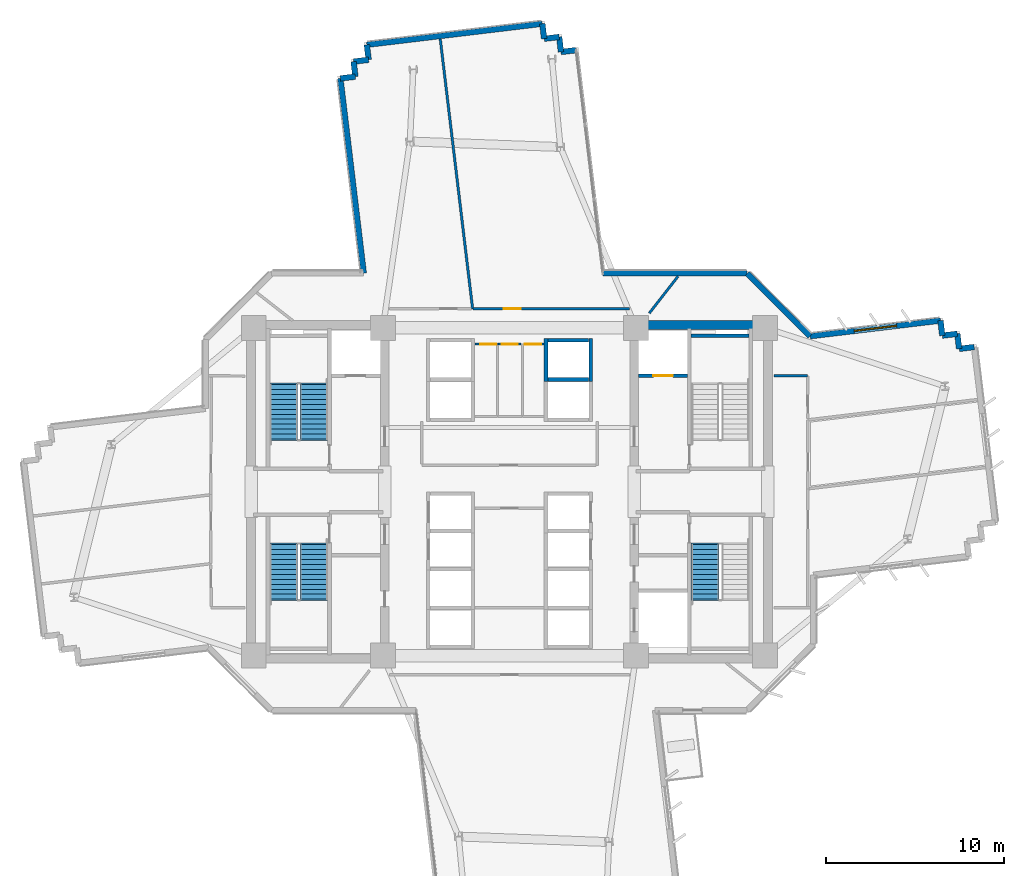
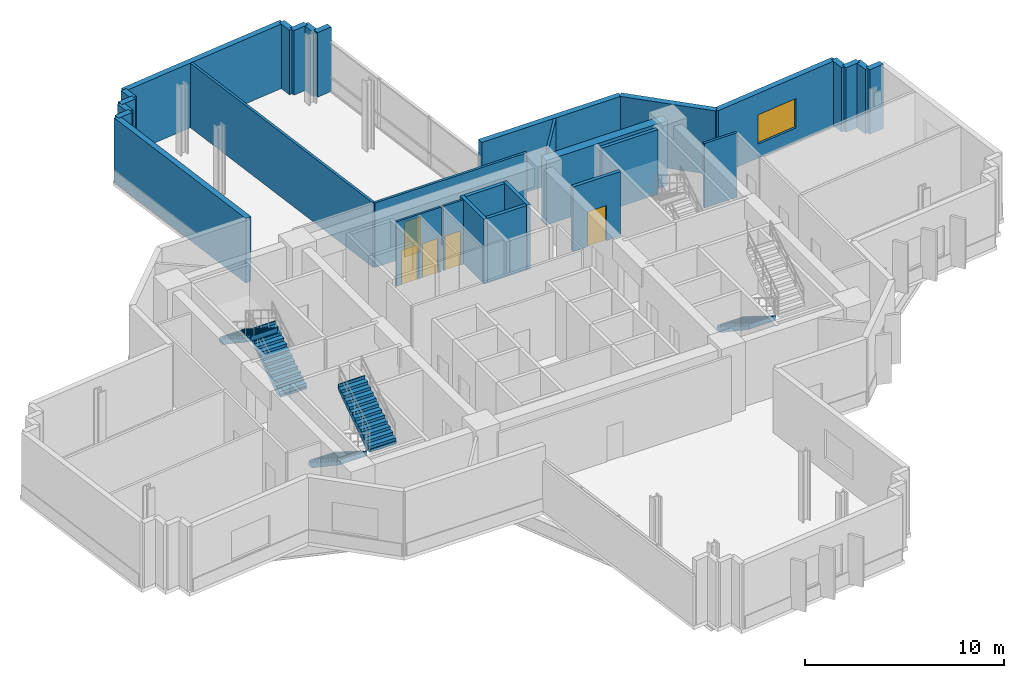
# One storey, part 9 of 15: 31 walls, 5 doors, 5 stair flights, 1 window, 6 openings, 3 elements without a shape of their own.
"""IFC4 building model written with IfcOpenShell, lengths in metres."""

from ifc_helpers import new_model, si_unit, direction, frame, frame_2d, origin, place, context, subcontext, project, spatial, polyline, rectangle, outline, extrude, source, transform, mapped, material, layer, layer_set, type_object, element, fill, aggregate, save


model = new_model("IFC4")

# Units and contexts
model_context = context("Model", 3, precision=1e-05, world=origin(), true_north=direction((0.0, 1.0)))
body_context = subcontext(model_context, "Body", "Model", "MODEL_VIEW")
ifc_project = project(units=[si_unit("LENGTHUNIT", "METRE"), si_unit("AREAUNIT", "SQUARE_METRE"), si_unit("VOLUMEUNIT", "CUBIC_METRE"), si_unit("PLANEANGLEUNIT", "RADIAN"), si_unit("MASSUNIT", "GRAM", prefix="KILO")], contexts=[model_context])

# Site, building, storey
site_placement = place(None, origin())
site = spatial("IfcSite", under=ifc_project, at=site_placement, CompositionType="ELEMENT")
building_placement = place(site_placement, origin())
building = spatial("IfcBuilding", under=site, at=building_placement, Name="Zahravan Cultural Tower", CompositionType="ELEMENT")
storey_placement = place(building_placement, frame((0.0, 0.0, 104.699951171875)))
storey = spatial("IfcBuildingStorey", under=building, at=storey_placement, Name="L23", CompositionType="ELEMENT", Elevation=104.699951171875)

# Wall, opening, window
ifc_material_1 = material(Name="Precast concrete C40/50", Category="concrete")
ifc_layer_1 = layer(ifc_material_1, 0.320068359375)
ifc_layer_set_1 = layer_set([ifc_layer_1], Name="Precast concrete C40/50")
wall_type_1 = type_object("IfcWallType", Name="EW-TC-320", PredefinedType="SOLIDWALL", material=ifc_layer_set_1)
wall_1_placement = place(storey_placement, frame((52.87060546875, 35.7314453125, 0.0), z_axis=(0.0, 0.0, 1.0), x_axis=(0.992882794037, 0.119095580547, 0.0)))
wall_1 = element("IfcWall", 1, at=wall_1_placement, inside=storey, type_object=wall_type_1, Name="L23 Exterior Masonry Frame Wall 01", PredefinedType="SOLIDWALL", context=body_context, shape_type="SweptSolid", body=[
    extrude(rectangle(XDim=7.36962890625, YDim=0.320068359375, at=frame_2d((3.684814453125, 0.0))), origin(), (0.0, 0.0, 1.0), 3.949951171875),
])
opening_1_placement = place(wall_1_placement, frame((2.485107421875, 0.0, 0.85009765625)))
opening_1 = element("IfcOpeningElement", 2, at=opening_1_placement, cuts=wall_1, Name="Opening WN-01", PredefinedType="OPENING", context=body_context, shape_type="SweptSolid", body=[
    extrude(rectangle(XDim=2.39990234375, YDim=1.800048828125, at=frame_2d((1.199951171875, 0.89990234375))), frame((0.0, 0.169921875, 0.0), z_axis=(0.0, -1.0, 0.0), x_axis=(1.0, 0.0, 0.0)), (0.0, 0.0, 1.0), 0.340087890625),
])
ifc_material_2 = material(Name="Low-E solar-control double glazing", Category="glass")
window_type = type_object("IfcWindowType", Name="WN-REC-2400X1800", PartitioningType="DOUBLE_PANEL_VERTICAL", PredefinedType="WINDOW", material=ifc_material_2)
shared_shape_1 = source(origin(), body_context, "Body", "SweptSolid", [
    extrude(rectangle(XDim=2.39990234375, YDim=1.800048828125, at=frame_2d((1.199951171875, 0.89990234375))), frame((0.0, 0.030029296875, 0.0), z_axis=(0.0, -1.0, 0.0), x_axis=(1.0, 0.0, 0.0)), (0.0, 0.0, 1.0), 0.06005859375),
])
window_placement = place(opening_1_placement, origin())
window = element("IfcWindow", 3, at=window_placement, inside=storey, type_object=window_type, Name="L23 Recessed Solar Window 01", OverallHeight=1.800048828125, OverallWidth=2.39990234375, PartitioningType="DOUBLE_PANEL_VERTICAL", PredefinedType="WINDOW", context=body_context, shape_type="MappedRepresentation", body=[
    mapped(shared_shape_1, transform((0.0, 0.0, 0.0), x_axis=(1.0, 0.0, 0.0), y_axis=(0.0, 1.0, 0.0), z_axis=(0.0, 0.0, 1.0), scale=1.0)),
])
fill(opening_1, window)

# Wall, opening, door
ifc_material_3 = material(Name="Gypsum plasterboard partition")
ifc_layer_2 = layer(ifc_material_3, 0.139892578125)
ifc_layer_set_2 = layer_set([ifc_layer_2], Name="Gypsum plasterboard partition")
wall_type_2 = type_object("IfcWallType", Name="W-PART-140", PredefinedType="PARTITIONING", material=ifc_layer_set_2)
wall_2_placement = place(storey_placement, frame((42.742431640625, 37.259765625, 0.0), z_axis=(0.0, 0.0, 1.0), x_axis=(-0.999999999614, 2.7778549e-05, 0.0)))
wall_2 = element("IfcWall", 4, at=wall_2_placement, inside=storey, type_object=wall_type_2, Name="L23 Interior Wall 099", PredefinedType="PARTITIONING", context=body_context, shape_type="SweptSolid", body=[
    extrude(rectangle(XDim=8.788818359375, YDim=0.139892578125, at=frame_2d((4.39453125, 0.0))), origin(), (0.0, 0.0, 1.0), 3.949951171875),
])
opening_2_placement = place(wall_2_placement, frame((6.1142578125, 0.0, 0.0)))
opening_2 = element("IfcOpeningElement", 5, at=opening_2_placement, cuts=wall_2, Name="Opening D-L23-19", PredefinedType="OPENING", context=body_context, shape_type="SweptSolid", body=[
    extrude(rectangle(XDim=0.949951171875, YDim=2.14990234375, at=frame_2d((0.47509765625, 1.074951171875))), frame((0.0, 0.079833984375, 0.0), z_axis=(0.0, -1.0, 0.0), x_axis=(1.0, 0.0, 0.0)), (0.0, 0.0, 1.0), 0.159912109375),
])
ifc_material_4 = material(Name="Anodised bronze-aluminium mullion", Category="aluminium")
door_type_1 = type_object("IfcDoorType", Name="DR-ROOM-950", OperationType="NOTDEFINED", PredefinedType="DOOR", material=ifc_material_4)
shared_shape_2 = source(origin(), body_context, "Body", "SweptSolid", [
    extrude(rectangle(XDim=0.949951171875, YDim=2.14990234375, at=frame_2d((0.47509765625, 1.074951171875))), frame((0.0, 0.02490234375, 0.0), z_axis=(0.0, -1.0, 0.0), x_axis=(1.0, 0.0, 0.0)), (0.0, 0.0, 1.0), 0.050048828125),
])
door_1_placement = place(opening_2_placement, origin())
door_1 = element("IfcDoor", 6, at=door_1_placement, inside=storey, type_object=door_type_1, Name="L23 Door D-L23-19", OperationType="SINGLE_SWING_RIGHT", OverallHeight=2.14990234375, OverallWidth=0.949951171875, PredefinedType="DOOR", context=body_context, shape_type="MappedRepresentation", body=[
    mapped(shared_shape_2, transform((0.0, 0.0, 0.0), x_axis=(1.0, 0.0, 0.0), y_axis=(0.0, 1.0, 0.0), z_axis=(0.0, 0.0, 1.0), scale=1.0)),
])
fill(opening_2, door_1)

ifc_material_5 = material(Name="Concrete C45/55", Category="concrete")
ifc_layer_3 = layer(ifc_material_5, 0.199951171875)
ifc_layer_set_3 = layer_set([ifc_layer_3], Name="Concrete C45/55")
wall_type_3 = type_object("IfcWallType", Name="W-SHAFT-200", PredefinedType="SOLIDWALL", material=ifc_layer_set_3)
wall_3_placement = place(storey_placement, frame((43.25, 33.52001953125, 0.0), z_axis=(0.0, 0.0, 1.0), x_axis=(1.0, 0.0, 0.0)))
wall_3 = element("IfcWall", 7, at=wall_3_placement, inside=storey, type_object=wall_type_3, Name="L23 Interior Wall 022", PredefinedType="SOLIDWALL", context=body_context, shape_type="SweptSolid", body=[
    extrude(rectangle(XDim=2.75, YDim=0.199951171875, at=frame_2d((1.375, 0.0))), origin(), (0.0, 0.0, 1.0), 3.949951171875),
])
opening_3_placement = place(wall_3_placement, frame((0.820068359375, 0.0, 0.0)))
opening_3 = element("IfcOpeningElement", 8, at=opening_3_placement, cuts=wall_3, Name="Opening LD-L23-02", PredefinedType="OPENING", context=body_context, shape_type="SweptSolid", body=[
    extrude(rectangle(XDim=1.10009765625, YDim=2.14990234375, at=frame_2d((0.550048828125, 1.074951171875))), frame((0.0, 0.10986328125, 0.0), z_axis=(0.0, -1.0, 0.0), x_axis=(1.0, 0.0, 0.0)), (0.0, 0.0, 1.0), 0.219970703125),
])
ifc_material_6 = material(Name="Steel ASTM A572 Grade 50", Category="steel")
door_type_2 = type_object("IfcDoorType", Name="DR-LIFT-1100", OperationType="DOUBLE_DOOR_SLIDING", PredefinedType="DOOR", material=ifc_material_6)
shared_shape_3 = source(origin(), body_context, "Body", "SweptSolid", [
    extrude(rectangle(XDim=1.10009765625, YDim=2.14990234375, at=frame_2d((0.550048828125, 1.074951171875))), frame((0.0, 0.02490234375, 0.0), z_axis=(0.0, -1.0, 0.0), x_axis=(1.0, 0.0, 0.0)), (0.0, 0.0, 1.0), 0.050048828125),
])
door_2_placement = place(opening_3_placement, origin())
door_2 = element("IfcDoor", 9, at=door_2_placement, inside=storey, type_object=door_type_2, Name="L23 Door LD-L23-02", OperationType="DOUBLE_DOOR_SLIDING", OverallHeight=2.14990234375, OverallWidth=1.10009765625, PredefinedType="DOOR", context=body_context, shape_type="MappedRepresentation", body=[
    mapped(shared_shape_3, transform((0.0, 0.0, 0.0), x_axis=(1.0, 0.0, 0.0), y_axis=(0.0, 1.0, 0.0), z_axis=(0.0, 0.0, 1.0), scale=1.0)),
])
fill(opening_3, door_2)

ifc_layer_4 = layer(ifc_material_3, 0.114990234375)
ifc_layer_set_4 = layer_set([ifc_layer_4], Name="Gypsum plasterboard partition")
wall_type_4 = type_object("IfcWallType", Name="W-WC-115", PredefinedType="PARTITIONING", material=ifc_layer_set_4)
wall_4_placement = place(storey_placement, frame((36.782470703125, 35.280029296875, 0.0), z_axis=(0.0, 0.0, 1.0), x_axis=(1.0, 0.0, 0.0)))
wall_4 = element("IfcWall", 10, at=wall_4_placement, inside=storey, type_object=wall_type_4, Name="L23 Interior Wall 068", PredefinedType="PARTITIONING", context=body_context, shape_type="SweptSolid", body=[
    extrude(rectangle(XDim=1.16259765625, YDim=0.114990234375, at=frame_2d((0.581298828125, 0.0))), origin(), (0.0, 0.0, 1.0), 3.949951171875),
])
opening_4_placement = place(wall_4_placement, frame((0.0888671875, 0.0, 0.0)))
opening_4 = element("IfcOpeningElement", 11, at=opening_4_placement, cuts=wall_4, Name="Opening D-L23-13", PredefinedType="OPENING", context=body_context, shape_type="SweptSolid", body=[
    extrude(rectangle(XDim=0.89990234375, YDim=2.10009765625, at=frame_2d((0.449951171875, 1.050048828125))), frame((0.0, 0.0673828125, 0.0), z_axis=(0.0, -1.0, 0.0), x_axis=(1.0, 0.0, 0.0)), (0.0, 0.0, 1.0), 0.135009765625),
])
door_type_3 = type_object("IfcDoorType", Name="DR-WC-900", OperationType="NOTDEFINED", PredefinedType="DOOR", material=ifc_material_4)
shared_shape_4 = source(origin(), body_context, "Body", "SweptSolid", [
    extrude(rectangle(XDim=0.89990234375, YDim=2.10009765625, at=frame_2d((0.449951171875, 1.050048828125))), frame((0.0, 0.02490234375, 0.0), z_axis=(0.0, -1.0, 0.0), x_axis=(1.0, 0.0, 0.0)), (0.0, 0.0, 1.0), 0.050048828125),
])
door_3_placement = place(opening_4_placement, origin())
door_3 = element("IfcDoor", 12, at=door_3_placement, inside=storey, type_object=door_type_3, Name="L23 Door D-L23-13", OperationType="SINGLE_SWING_RIGHT", OverallHeight=2.10009765625, OverallWidth=0.89990234375, PredefinedType="DOOR", context=body_context, shape_type="MappedRepresentation", body=[
    mapped(shared_shape_4, transform((0.0, 0.0, 0.0), x_axis=(1.0, 0.0, 0.0), y_axis=(0.0, 1.0, 0.0), z_axis=(0.0, 0.0, 1.0), scale=1.0)),
])
fill(opening_4, door_3)

wall_5_placement = place(storey_placement, frame((34.054931640625, 35.280029296875, 0.0), z_axis=(0.0, 0.0, 1.0), x_axis=(1.0, 0.0, 0.0)))
wall_5 = element("IfcWall", 13, at=wall_5_placement, inside=storey, type_object=wall_type_4, Name="L23 Interior Wall 070", PredefinedType="PARTITIONING", context=body_context, shape_type="SweptSolid", body=[
    extrude(rectangle(XDim=1.28515625, YDim=0.114990234375, at=frame_2d((0.642578125, 0.0))), origin(), (0.0, 0.0, 1.0), 3.949951171875),
])
opening_5_placement = place(wall_5_placement, frame((0.30029296875, 0.0, 0.0)))
opening_5 = element("IfcOpeningElement", 14, at=opening_5_placement, cuts=wall_5, Name="Opening D-L23-11", PredefinedType="OPENING", context=body_context, shape_type="SweptSolid", body=[
    extrude(rectangle(XDim=0.89990234375, YDim=2.10009765625, at=frame_2d((0.449951171875, 1.050048828125))), frame((0.0, 0.0673828125, 0.0), z_axis=(0.0, -1.0, 0.0), x_axis=(1.0, 0.0, 0.0)), (0.0, 0.0, 1.0), 0.135009765625),
])
door_4_placement = place(opening_5_placement, origin())
door_4 = element("IfcDoor", 15, at=door_4_placement, inside=storey, type_object=door_type_3, Name="L23 Door D-L23-11", OperationType="SINGLE_SWING_RIGHT", OverallHeight=2.10009765625, OverallWidth=0.89990234375, PredefinedType="DOOR", context=body_context, shape_type="MappedRepresentation", body=[
    mapped(shared_shape_4, transform((0.0, 0.0, 0.0), x_axis=(1.0, 0.0, 0.0), y_axis=(0.0, 1.0, 0.0), z_axis=(0.0, 0.0, 1.0), scale=1.0)),
])
fill(opening_5, door_4)

wall_6_placement = place(storey_placement, frame((35.360107421875, 35.280029296875, 0.0), z_axis=(0.0, 0.0, 1.0), x_axis=(1.0, 0.0, 0.0)))
wall_6 = element("IfcWall", 16, at=wall_6_placement, inside=storey, type_object=wall_type_4, Name="L23 Interior Wall 073", PredefinedType="PARTITIONING", context=body_context, shape_type="SweptSolid", body=[
    extrude(rectangle(XDim=1.29736328125, YDim=0.114990234375, at=frame_2d((0.648681640625, 0.0))), origin(), (0.0, 0.0, 1.0), 3.949951171875),
])
opening_6_placement = place(wall_6_placement, frame((0.19873046875, 0.0, 0.0)))
opening_6 = element("IfcOpeningElement", 17, at=opening_6_placement, cuts=wall_6, Name="Opening D-L23-12", PredefinedType="OPENING", context=body_context, shape_type="SweptSolid", body=[
    extrude(rectangle(XDim=0.89990234375, YDim=2.10009765625, at=frame_2d((0.449951171875, 1.050048828125))), frame((0.0, 0.0673828125, 0.0), z_axis=(0.0, -1.0, 0.0), x_axis=(1.0, 0.0, 0.0)), (0.0, 0.0, 1.0), 0.135009765625),
])
door_5_placement = place(opening_6_placement, origin())
door_5 = element("IfcDoor", 18, at=door_5_placement, inside=storey, type_object=door_type_3, Name="L23 Door D-L23-12", OperationType="SINGLE_SWING_LEFT", OverallHeight=2.10009765625, OverallWidth=0.89990234375, PredefinedType="DOOR", context=body_context, shape_type="MappedRepresentation", body=[
    mapped(shared_shape_4, transform((0.0, 0.0, 0.0), x_axis=(1.0, 0.0, 0.0), y_axis=(0.0, 1.0, 0.0), z_axis=(0.0, 0.0, 1.0), scale=1.0)),
])
fill(opening_6, door_5)

# Walls
ifc_material_7 = material(Name="Concrete C60/75", Category="concrete")
ifc_layer_5 = layer(ifc_material_7, 0.5)
ifc_layer_set_5 = layer_set([ifc_layer_5], Name="Concrete C60/75")
wall_type_5 = type_object("IfcWallType", Name="CW-SHEAR-500-C60", PredefinedType="SHEAR", material=ifc_layer_set_5)
shared_shape_5 = source(origin(), body_context, "Body", "SweptSolid", [
    extrude(rectangle(XDim=7.0, YDim=0.5, at=frame_2d((3.5, 0.0))), origin(), (0.0, 0.0, 1.0), 3.949951171875),
])
wall_7_placement = place(storey_placement, frame((43.25, 36.35009765625, 0.0), z_axis=(0.0, 0.0, 1.0), x_axis=(1.0, 0.0, 0.0)))
element("IfcWall", 19, at=wall_7_placement, inside=storey, type_object=wall_type_5, Name="L23 Core Shear Wall CW-E-N-L23", PredefinedType="SHEAR", context=body_context, shape_type="MappedRepresentation", body=[
    mapped(shared_shape_5, transform((0.0, 0.0, 0.0), x_axis=(1.0, 0.0, 0.0), y_axis=(0.0, 1.0, 0.0), z_axis=(0.0, 0.0, 1.0), scale=1.0)),
])
shared_shape_6 = source(origin(), body_context, "Body", "SweptSolid", [
    extrude(rectangle(XDim=0.849853515625, YDim=0.320068359375, at=frame_2d((0.4248046875, 0.0))), origin(), (0.0, 0.0, 1.0), 3.949951171875),
])
for number, where, z_axis, x_axis, name in (
    (20, (61.133056640625, 35.8662109375, 0.0), (0.0, 0.0, 1.0), (0.11894130009, -0.992901287708, 0.0), "L23 Exterior Masonry Frame Wall 04"),
    (21, (38.891357421875, 51.679931640625, 0.0), (0.0, 0.0, 1.0), (0.992867319472, 0.119224518976, 0.0), "L23 Exterior Masonry Frame Wall 50"),
):
    element("IfcWall", number, at=place(storey_placement, frame(where, z_axis=z_axis, x_axis=x_axis)), inside=storey, type_object=wall_type_1, Name=name, PredefinedType="SOLIDWALL", context=body_context, shape_type="MappedRepresentation", body=[
        mapped(shared_shape_6, transform((0.0, 0.0, 0.0), x_axis=(1.0, 0.0, 0.0), y_axis=(0.0, 1.0, 0.0), z_axis=(0.0, 0.0, 1.0), scale=1.0)),
    ])
shared_shape_7 = source(origin(), body_context, "Body", "SweptSolid", [
    extrude(rectangle(XDim=0.85009765625, YDim=0.320068359375, at=frame_2d((0.425048828125, 0.0))), origin(), (0.0, 0.0, 1.0), 3.949951171875),
])
for number, where, z_axis, x_axis, name in (
    (22, (60.187744140625, 36.609130859375, 0.0), (0.0, 0.0, 1.0), (0.119190521137, -0.992871401376, 0.0), "L23 Exterior Masonry Frame Wall 02"),
    (23, (60.2890625, 35.76513671875, 0.0), (0.0, 0.0, 1.0), (0.992905350382, 0.118907380694, 0.0), "L23 Exterior Masonry Frame Wall 03"),
    (24, (61.234130859375, 35.0224609375, 0.0), (0.0, 0.0, 1.0), (0.992905350382, 0.118907380694, 0.0), "L23 Exterior Masonry Frame Wall 05"),
    (25, (26.510009765625, 50.19482421875, 0.0), (0.0, 0.0, 1.0), (0.992871401376, 0.119190521137, 0.0), "L23 Exterior Masonry Frame Wall 42"),
    (26, (27.35400390625, 50.296142578125, 0.0), (0.0, 0.0, 1.0), (-0.119190521137, 0.992871401376, 0.0), "L23 Exterior Masonry Frame Wall 43"),
    (27, (27.252685546875, 51.14013671875, 0.0), (0.0, 0.0, 1.0), (0.992905350382, 0.118907380694, 0.0), "L23 Exterior Masonry Frame Wall 44"),
    (28, (28.0966796875, 51.2412109375, 0.0), (0.0, 0.0, 1.0), (-0.118907380694, 0.992905350382, 0.0), "L23 Exterior Masonry Frame Wall 45"),
    (29, (37.844970703125, 53.2666015625, 0.0), (0.0, 0.0, 1.0), (0.118907380694, -0.992905350382, 0.0), "L23 Exterior Masonry Frame Wall 47"),
    (30, (37.946044921875, 52.422607421875, 0.0), (0.0, 0.0, 1.0), (0.992871401376, 0.119190521137, 0.0), "L23 Exterior Masonry Frame Wall 48"),
    (31, (38.7900390625, 52.52392578125, 0.0), (0.0, 0.0, 1.0), (0.119190521137, -0.992871401376, 0.0), "L23 Exterior Masonry Frame Wall 49"),
):
    element("IfcWall", number, at=place(storey_placement, frame(where, z_axis=z_axis, x_axis=x_axis)), inside=storey, type_object=wall_type_1, Name=name, PredefinedType="SOLIDWALL", context=body_context, shape_type="MappedRepresentation", body=[
        mapped(shared_shape_7, transform((0.0, 0.0, 0.0), x_axis=(1.0, 0.0, 0.0), y_axis=(0.0, 1.0, 0.0), z_axis=(0.0, 0.0, 1.0), scale=1.0)),
    ])
shared_shape_8 = source(origin(), body_context, "Body", "SweptSolid", [
    extrude(rectangle(XDim=9.919921875, YDim=0.320068359375, at=frame_2d((4.9599609375, 0.0))), origin(), (0.0, 0.0, 1.0), 3.949951171875),
])
wall_8_placement = place(storey_placement, frame((27.99560546875, 52.085205078125, 0.0), z_axis=(0.0, 0.0, 1.0), x_axis=(0.992883125729, 0.119092815244, 0.0)))
element("IfcWall", 32, at=wall_8_placement, inside=storey, type_object=wall_type_1, Name="L23 Exterior Masonry Frame Wall 46", PredefinedType="SOLIDWALL", context=body_context, shape_type="MappedRepresentation", body=[
    mapped(shared_shape_8, transform((0.0, 0.0, 0.0), x_axis=(1.0, 0.0, 0.0), y_axis=(0.0, 1.0, 0.0), z_axis=(0.0, 0.0, 1.0), scale=1.0)),
])
shared_shape_9 = source(origin(), body_context, "Body", "SweptSolid", [
    extrude(rectangle(XDim=8.10498046875, YDim=0.320068359375, at=frame_2d((4.052490234375, 0.0))), origin(), (0.0, 0.0, 1.0), 3.949951171875),
])
wall_9_placement = place(storey_placement, frame((41.237060546875, 39.260009765625, 0.0), z_axis=(0.0, 0.0, 1.0), x_axis=(1.0, 0.0, 0.0)))
element("IfcWall", 33, at=wall_9_placement, inside=storey, type_object=wall_type_1, Name="L23 Exterior Masonry Frame Wall 51", PredefinedType="SOLIDWALL", context=body_context, shape_type="MappedRepresentation", body=[
    mapped(shared_shape_9, transform((0.0, 0.0, 0.0), x_axis=(1.0, 0.0, 0.0), y_axis=(0.0, 1.0, 0.0), z_axis=(0.0, 0.0, 1.0), scale=1.0)),
])
shared_shape_10 = source(origin(), body_context, "Body", "SweptSolid", [
    extrude(rectangle(XDim=11.01318359375, YDim=0.320068359375, at=frame_2d((5.506591796875, 0.0))), origin(), (0.0, 0.0, 1.0), 3.949951171875),
])
wall_10_placement = place(storey_placement, frame((27.821533203125, 39.260009765625, 0.0), z_axis=(0.0, 0.0, 1.0), x_axis=(-0.119086653457, 0.992883864794, 0.0)))
element("IfcWall", 34, at=wall_10_placement, inside=storey, type_object=wall_type_1, Name="L23 Exterior Masonry Frame Wall 41", PredefinedType="SOLIDWALL", context=body_context, shape_type="MappedRepresentation", body=[
    mapped(shared_shape_10, transform((0.0, 0.0, 0.0), x_axis=(1.0, 0.0, 0.0), y_axis=(0.0, 1.0, 0.0), z_axis=(0.0, 0.0, 1.0), scale=1.0)),
])
shared_shape_11 = source(origin(), body_context, "Body", "SweptSolid", [
    extrude(rectangle(XDim=4.990234375, YDim=0.320068359375, at=frame_2d((2.4951171875, 0.0))), origin(), (0.0, 0.0, 1.0), 3.949951171875),
])
wall_11_placement = place(storey_placement, frame((49.342041015625, 39.260009765625, 0.0), z_axis=(0.0, 0.0, 1.0), x_axis=(0.707106781187, -0.707106781187, 0.0)))
element("IfcWall", 35, at=wall_11_placement, inside=storey, type_object=wall_type_1, Name="L23 Exterior Masonry Frame Wall 52", PredefinedType="SOLIDWALL", context=body_context, shape_type="MappedRepresentation", body=[
    mapped(shared_shape_11, transform((0.0, 0.0, 0.0), x_axis=(1.0, 0.0, 0.0), y_axis=(0.0, 1.0, 0.0), z_axis=(0.0, 0.0, 1.0), scale=1.0)),
])
shared_shape_12 = source(origin(), body_context, "Body", "SweptSolid", [
    extrude(rectangle(XDim=3.25, YDim=0.199951171875, at=frame_2d((1.625, 0.0))), origin(), (0.0, 0.0, 1.0), 3.949951171875),
])
wall_12_placement = place(storey_placement, frame((46.199951171875, 35.75, 0.0), z_axis=(0.0, 0.0, 1.0), x_axis=(1.0, 0.0, 0.0)))
element("IfcWall", 36, at=wall_12_placement, inside=storey, type_object=wall_type_3, Name="L23 Interior Wall 018", PredefinedType="SOLIDWALL", context=body_context, shape_type="MappedRepresentation", body=[
    mapped(shared_shape_12, transform((0.0, 0.0, 0.0), x_axis=(1.0, 0.0, 0.0), y_axis=(0.0, 1.0, 0.0), z_axis=(0.0, 0.0, 1.0), scale=1.0)),
])
shared_shape_13 = source(origin(), body_context, "Body", "SweptSolid", [
    extrude(rectangle(XDim=2.400146484375, YDim=0.199951171875, at=frame_2d((1.2001953125, 0.0))), origin(), (0.0, 0.0, 1.0), 3.949951171875),
])
for number, where, z_axis, x_axis, name in (
    (37, (38.050048828125, 33.199951171875, 0.0), (0.0, 0.0, 1.0), (0.0, 1.0, 0.0), "L23 Interior Wall 033"),
    (38, (40.550048828125, 33.199951171875, 0.0), (0.0, 0.0, 1.0), (0.0, 1.0, 0.0), "L23 Interior Wall 034"),
):
    element("IfcWall", number, at=place(storey_placement, frame(where, z_axis=z_axis, x_axis=x_axis)), inside=storey, type_object=wall_type_3, Name=name, PredefinedType="SOLIDWALL", context=body_context, shape_type="MappedRepresentation", body=[
        mapped(shared_shape_13, transform((0.0, 0.0, 0.0), x_axis=(1.0, 0.0, 0.0), y_axis=(0.0, 1.0, 0.0), z_axis=(0.0, 0.0, 1.0), scale=1.0)),
    ])
shared_shape_14 = source(origin(), body_context, "Body", "SweptSolid", [
    extrude(rectangle(XDim=2.260009765625, YDim=0.199951171875, at=frame_2d((1.1298828125, 0.0))), origin(), (0.0, 0.0, 1.0), 3.949951171875),
])
for number, where, z_axis, x_axis, name in (
    (39, (38.169921875, 33.300048828125, 0.0), (0.0, 0.0, 1.0), (1.0, 0.0, 0.0), "L23 Interior Wall 035"),
    (40, (38.169921875, 35.5, 0.0), (0.0, 0.0, 1.0), (1.0, 0.0, 0.0), "L23 Interior Wall 036"),
):
    element("IfcWall", number, at=place(storey_placement, frame(where, z_axis=z_axis, x_axis=x_axis)), inside=storey, type_object=wall_type_3, Name=name, PredefinedType="SOLIDWALL", context=body_context, shape_type="MappedRepresentation", body=[
        mapped(shared_shape_14, transform((0.0, 0.0, 0.0), x_axis=(1.0, 0.0, 0.0), y_axis=(0.0, 1.0, 0.0), z_axis=(0.0, 0.0, 1.0), scale=1.0)),
    ])
shared_shape_15 = source(origin(), body_context, "Body", "SweptSolid", [
    extrude(rectangle(XDim=2.62939453125, YDim=0.139892578125, at=frame_2d((1.314697265625, 0.0))), origin(), (0.0, 0.0, 1.0), 3.949951171875),
])
wall_13_placement = place(storey_placement, frame((43.84619140625, 37.02001953125, 0.0), z_axis=(0.0, 0.0, 1.0), x_axis=(0.614210560268, 0.789142184689, 0.0)))
element("IfcWall", 41, at=wall_13_placement, inside=storey, type_object=wall_type_2, Name="L23 Interior Wall 091", PredefinedType="PARTITIONING", context=body_context, shape_type="MappedRepresentation", body=[
    mapped(shared_shape_15, transform((0.0, 0.0, 0.0), x_axis=(1.0, 0.0, 0.0), y_axis=(0.0, 1.0, 0.0), z_axis=(0.0, 0.0, 1.0), scale=1.0)),
])
shared_shape_16 = source(origin(), body_context, "Body", "SweptSolid", [
    extrude(rectangle(XDim=1.876953125, YDim=0.139892578125, at=frame_2d((0.9384765625, 0.0))), origin(), (0.0, 0.0, 1.0), 3.949951171875),
])
wall_14_placement = place(storey_placement, frame((52.734619140625, 33.4990234375, 0.0), z_axis=(0.0, 0.0, 1.0), x_axis=(-0.999999923865, 0.000390218493, 0.0)))
element("IfcWall", 42, at=wall_14_placement, inside=storey, type_object=wall_type_2, Name="L23 Interior Wall 093", PredefinedType="PARTITIONING", context=body_context, shape_type="MappedRepresentation", body=[
    mapped(shared_shape_16, transform((0.0, 0.0, 0.0), x_axis=(1.0, 0.0, 0.0), y_axis=(0.0, 1.0, 0.0), z_axis=(0.0, 0.0, 1.0), scale=1.0)),
])
shared_shape_17 = source(origin(), body_context, "Body", "SweptSolid", [
    extrude(rectangle(XDim=15.261962890625, YDim=0.139892578125, at=frame_2d((7.630859375, 0.0))), origin(), (0.0, 0.0, 1.0), 3.949951171875),
])
wall_15_placement = place(storey_placement, frame((32.11572265625, 52.413330078125, 0.0), z_axis=(0.0, 0.0, 1.0), x_axis=(0.119095388495, -0.992882817073, 0.0)))
element("IfcWall", 43, at=wall_15_placement, inside=storey, type_object=wall_type_2, Name="L23 Interior Wall 097", PredefinedType="PARTITIONING", context=body_context, shape_type="MappedRepresentation", body=[
    mapped(shared_shape_17, transform((0.0, 0.0, 0.0), x_axis=(1.0, 0.0, 0.0), y_axis=(0.0, 1.0, 0.0), z_axis=(0.0, 0.0, 1.0), scale=1.0)),
])

# Stair, stair flights
stair_type = type_object("IfcStairType", Name="STR-DL-1550-420", PredefinedType="HALF_TURN_STAIR", material=ifc_material_5)
stair_1_placement = place(storey_placement, origin())
stair_1 = element("IfcStair", 44, at=stair_1_placement, inside=storey, type_object=stair_type, Name="L23 West Core North Exit Stair ST-W1", PredefinedType="HALF_TURN_STAIR")
stair_flight_type = type_object("IfcStairFlightType", Name="FLG-DL-1550-420", PredefinedType="STRAIGHT", material=ifc_material_5)
stair_flight_1_placement = place(storey_placement, frame((25.02490234375, 29.949951171875, 0.0), z_axis=(0.0, 0.0, 1.0), x_axis=(0.0, 1.0, 0.0)))
stair_flight_1 = element("IfcStairFlight", 45, at=stair_flight_1_placement, type_object=stair_flight_type, Name="ST-W1 flight 1", NumberOfRisers=12, NumberOfTreads=11, PredefinedType="STRAIGHT", RiserHeight=0.175, TreadLength=0.28, context=body_context, shape_type="SweptSolid", body=[
    extrude(outline(polyline([(-0.06494140625, -0.139892578125), (-0.06494140625, 0.0), (0.0, 0.0), (0.0, 0.175048828125), (0.280029296875, 0.175048828125), (0.280029296875, 0.35009765625), (0.56005859375, 0.35009765625), (0.56005859375, 0.52490234375), (0.840087890625, 0.52490234375), (0.840087890625, 0.699951171875), (1.1201171875, 0.699951171875), (1.1201171875, 0.875), (1.39990234375, 0.875), (1.39990234375, 1.050048828125), (1.679931640625, 1.050048828125), (1.679931640625, 1.22509765625), (1.9599609375, 1.22509765625), (1.9599609375, 1.39990234375), (2.239990234375, 1.39990234375), (2.239990234375, 1.574951171875), (2.52001953125, 1.574951171875), (2.52001953125, 1.75), (2.800048828125, 1.75), (2.800048828125, 1.925048828125), (3.080078125, 1.925048828125), (3.080078125, 2.10009765625), (3.14501953125, 2.10009765625), (3.14501953125, 1.9501953125), (3.080078125, 1.748291015625), (0.28271484375, -0.139892578125), (-0.06494140625, -0.139892578125)])), frame((0.0, 0.77490234375, 0.0), z_axis=(0.0, -1.0, 0.0), x_axis=(1.0, 0.0, 0.0)), (0.0, 0.0, 1.0), 1.550048828125),
])
stair_flight_2_placement = place(storey_placement, frame((23.324951171875, 33.030029296875, 2.10009765625), z_axis=(0.0, 0.0, 1.0), x_axis=(0.0, -1.0, 0.0)))
stair_flight_2 = element("IfcStairFlight", 46, at=stair_flight_2_placement, type_object=stair_flight_type, Name="ST-W1 flight 2", NumberOfRisers=12, NumberOfTreads=11, PredefinedType="STRAIGHT", RiserHeight=0.175, TreadLength=0.28, context=body_context, shape_type="SweptSolid", body=[
    extrude(outline(polyline([(-0.06494140625, -0.139892578125), (-0.06494140625, 0.0), (0.0, 0.0), (0.0, 0.175048828125), (0.280029296875, 0.175048828125), (0.280029296875, 0.35009765625), (0.56005859375, 0.35009765625), (0.56005859375, 0.52490234375), (0.840087890625, 0.52490234375), (0.840087890625, 0.699951171875), (1.1201171875, 0.699951171875), (1.1201171875, 0.875), (1.39990234375, 0.875), (1.39990234375, 1.050048828125), (1.679931640625, 1.050048828125), (1.679931640625, 1.22509765625), (1.9599609375, 1.22509765625), (1.9599609375, 1.39990234375), (2.239990234375, 1.39990234375), (2.239990234375, 1.574951171875), (2.52001953125, 1.574951171875), (2.52001953125, 1.75), (2.800048828125, 1.75), (2.800048828125, 1.925048828125), (3.080078125, 1.925048828125), (3.080078125, 2.10009765625), (3.14501953125, 2.10009765625), (3.14501953125, 1.9501953125), (3.080078125, 1.748291015625), (0.28271484375, -0.139892578125), (-0.06494140625, -0.139892578125)])), frame((0.0, 0.77490234375, 0.0), z_axis=(0.0, -1.0, 0.0), x_axis=(1.0, 0.0, 0.0)), (0.0, 0.0, 1.0), 1.550048828125),
])
aggregate(stair_1, [stair_flight_1, stair_flight_2])

stair_2_placement = place(storey_placement, origin())
stair_2 = element("IfcStair", 47, at=stair_2_placement, inside=storey, type_object=stair_type, Name="L23 West Core South Exit Stair ST-W2", PredefinedType="HALF_TURN_STAIR")
stair_flight_3_placement = place(storey_placement, frame((23.324951171875, 24.050048828125, 0.0), z_axis=(0.0, 0.0, 1.0), x_axis=(0.0, -1.0, 0.0)))
stair_flight_3 = element("IfcStairFlight", 48, at=stair_flight_3_placement, type_object=stair_flight_type, Name="ST-W2 flight 1", NumberOfRisers=12, NumberOfTreads=11, PredefinedType="STRAIGHT", RiserHeight=0.175, TreadLength=0.28, context=body_context, shape_type="SweptSolid", body=[
    extrude(outline(polyline([(-0.06494140625, -0.139892578125), (-0.06494140625, 0.0), (0.0, 0.0), (0.0, 0.175048828125), (0.280029296875, 0.175048828125), (0.280029296875, 0.35009765625), (0.56005859375, 0.35009765625), (0.56005859375, 0.52490234375), (0.840087890625, 0.52490234375), (0.840087890625, 0.699951171875), (1.1201171875, 0.699951171875), (1.1201171875, 0.875), (1.39990234375, 0.875), (1.39990234375, 1.050048828125), (1.679931640625, 1.050048828125), (1.679931640625, 1.22509765625), (1.9599609375, 1.22509765625), (1.9599609375, 1.39990234375), (2.239990234375, 1.39990234375), (2.239990234375, 1.574951171875), (2.52001953125, 1.574951171875), (2.52001953125, 1.75), (2.800048828125, 1.75), (2.800048828125, 1.925048828125), (3.080078125, 1.925048828125), (3.080078125, 2.10009765625), (3.14501953125, 2.10009765625), (3.14501953125, 1.9501953125), (3.080078125, 1.748291015625), (0.28271484375, -0.139892578125), (-0.06494140625, -0.139892578125)])), frame((0.0, 0.77490234375, 0.0), z_axis=(0.0, -1.0, 0.0), x_axis=(1.0, 0.0, 0.0)), (0.0, 0.0, 1.0), 1.550048828125),
])
stair_flight_4_placement = place(storey_placement, frame((25.02490234375, 20.969970703125, 2.10009765625), z_axis=(0.0, 0.0, 1.0), x_axis=(0.0, 1.0, 0.0)))
stair_flight_4 = element("IfcStairFlight", 49, at=stair_flight_4_placement, type_object=stair_flight_type, Name="ST-W2 flight 2", NumberOfRisers=12, NumberOfTreads=11, PredefinedType="STRAIGHT", RiserHeight=0.175, TreadLength=0.28, context=body_context, shape_type="SweptSolid", body=[
    extrude(outline(polyline([(-0.06494140625, -0.139892578125), (-0.06494140625, 0.0), (0.0, 0.0), (0.0, 0.175048828125), (0.280029296875, 0.175048828125), (0.280029296875, 0.35009765625), (0.56005859375, 0.35009765625), (0.56005859375, 0.52490234375), (0.840087890625, 0.52490234375), (0.840087890625, 0.699951171875), (1.1201171875, 0.699951171875), (1.1201171875, 0.875), (1.39990234375, 0.875), (1.39990234375, 1.050048828125), (1.679931640625, 1.050048828125), (1.679931640625, 1.22509765625), (1.9599609375, 1.22509765625), (1.9599609375, 1.39990234375), (2.239990234375, 1.39990234375), (2.239990234375, 1.574951171875), (2.52001953125, 1.574951171875), (2.52001953125, 1.75), (2.800048828125, 1.75), (2.800048828125, 1.925048828125), (3.080078125, 1.925048828125), (3.080078125, 2.10009765625), (3.14501953125, 2.10009765625), (3.14501953125, 1.9501953125), (3.080078125, 1.748291015625), (0.28271484375, -0.139892578125), (-0.06494140625, -0.139892578125)])), frame((0.0, 0.77490234375, 0.0), z_axis=(0.0, -1.0, 0.0), x_axis=(1.0, 0.0, 0.0)), (0.0, 0.0, 1.0), 1.550048828125),
])
aggregate(stair_2, [stair_flight_3, stair_flight_4])

# Stair, stair flight
stair_3_placement = place(storey_placement, origin())
stair_3 = element("IfcStair", 50, at=stair_3_placement, inside=storey, type_object=stair_type, Name="L23 East Core South Exit Stair ST-E2", PredefinedType="HALF_TURN_STAIR")
stair_flight_5_placement = place(storey_placement, frame((46.97509765625, 24.050048828125, 0.0), z_axis=(0.0, 0.0, 1.0), x_axis=(0.0, -1.0, 0.0)))
stair_flight_5 = element("IfcStairFlight", 51, at=stair_flight_5_placement, type_object=stair_flight_type, Name="ST-E2 flight 1", NumberOfRisers=12, NumberOfTreads=11, PredefinedType="STRAIGHT", RiserHeight=0.175, TreadLength=0.28, context=body_context, shape_type="SweptSolid", body=[
    extrude(outline(polyline([(-0.06494140625, -0.139892578125), (-0.06494140625, 0.0), (0.0, 0.0), (0.0, 0.175048828125), (0.280029296875, 0.175048828125), (0.280029296875, 0.35009765625), (0.56005859375, 0.35009765625), (0.56005859375, 0.52490234375), (0.840087890625, 0.52490234375), (0.840087890625, 0.699951171875), (1.1201171875, 0.699951171875), (1.1201171875, 0.875), (1.39990234375, 0.875), (1.39990234375, 1.050048828125), (1.679931640625, 1.050048828125), (1.679931640625, 1.22509765625), (1.9599609375, 1.22509765625), (1.9599609375, 1.39990234375), (2.239990234375, 1.39990234375), (2.239990234375, 1.574951171875), (2.52001953125, 1.574951171875), (2.52001953125, 1.75), (2.800048828125, 1.75), (2.800048828125, 1.925048828125), (3.080078125, 1.925048828125), (3.080078125, 2.10009765625), (3.14501953125, 2.10009765625), (3.14501953125, 1.9501953125), (3.080078125, 1.748291015625), (0.28271484375, -0.139892578125), (-0.06494140625, -0.139892578125)])), frame((0.0, 0.77490234375, 0.0), z_axis=(0.0, -1.0, 0.0), x_axis=(1.0, 0.0, 0.0)), (0.0, 0.0, 1.0), 1.550048828125),
])
aggregate(stair_3, [stair_flight_5])

save(model, "model.ifc")
